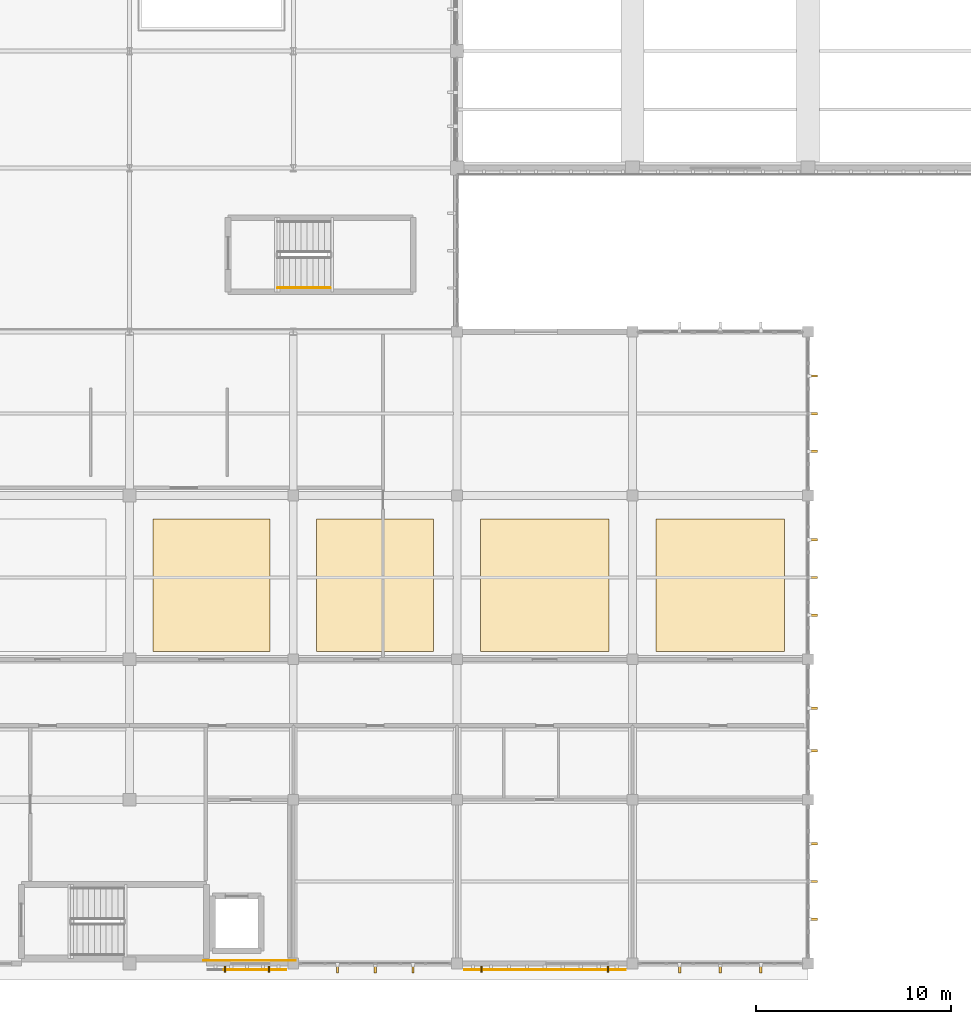
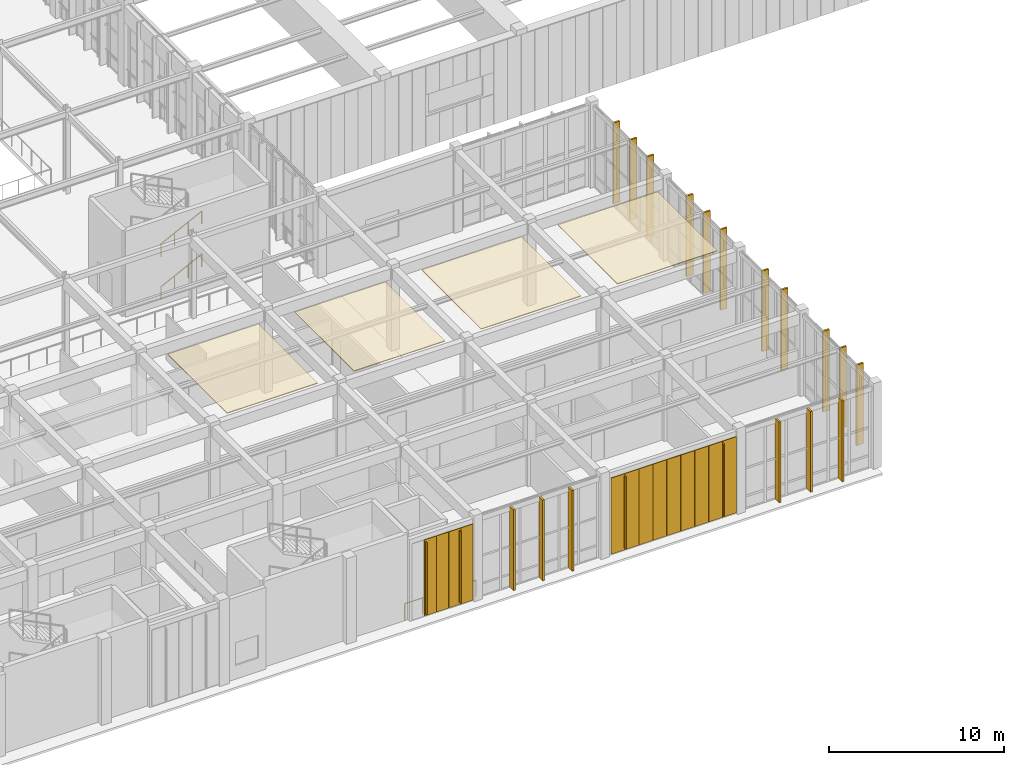
# One storey, part 95 of 105: 34 coverings, 4 shading devices, 3 railings.
"""IFC4 building model written with IfcOpenShell, lengths in metres."""

from ifc_helpers import new_model, si_unit, direction, frame, origin, origin_2d, place, context, subcontext, project, spatial, polyline, rectangle, circle, outline, extrude, material, layer, layer_set, type_object, element, save


model = new_model("IFC4")

# Units and contexts
model_context = context("Model", 3, precision=1e-05, world=origin(), true_north=direction((0.0, 1.0)))
body_context = subcontext(model_context, "Body", "Model", "MODEL_VIEW")
ifc_project = project(units=[si_unit("LENGTHUNIT", "METRE"), si_unit("AREAUNIT", "SQUARE_METRE"), si_unit("VOLUMEUNIT", "CUBIC_METRE"), si_unit("PLANEANGLEUNIT", "RADIAN"), si_unit("MASSUNIT", "GRAM", prefix="KILO")], contexts=[model_context])

# Site, building, storey
site_placement = place(None, origin())
site = spatial("IfcSite", under=ifc_project, at=site_placement, CompositionType="ELEMENT")
building_placement = place(site_placement, origin())
building = spatial("IfcBuilding", under=site, at=building_placement, Name="Tizgana Railside Sports Hall", CompositionType="ELEMENT")
storey_placement = place(building_placement, frame((0.0, 0.0, 6.0)))
storey = spatial("IfcBuildingStorey", under=building, at=storey_placement, Name="L01", CompositionType="ELEMENT", Elevation=6.0)

# Shading devices
ifc_material_1 = material(Name="Glulam GL28h", Category="wood")
shading_device_type = type_object("IfcShadingDeviceType", Name="Glulam Vertical Brise-Soleil Fin 320", PredefinedType="JALOUSIE", material=ifc_material_1)
for number, where, z_axis, x_axis, name in (
    (1, (70.14990234375, -0.2939453125, 0.35009765625), (0.0, 0.0, 1.0), (-1.0, 0.0, 0.0), "L01 Glulam Fin FIN-0033"),
    (2, (67.89990234375, -0.2939453125, 0.35009765625), (0.0, 0.0, 1.0), (-1.0, 0.0, 0.0), "L01 Glulam Fin FIN-0034"),
    (3, (87.550048828125, -0.2939453125, 0.35009765625), (0.0, 0.0, 1.0), (-1.0, 0.0, 0.0), "L01 Glulam Fin FIN-0035"),
    (4, (81.050048828125, -0.2939453125, 0.35009765625), (0.0, 0.0, 1.0), (-1.0, 0.0, 0.0), "L01 Glulam Fin FIN-0036"),
):
    element("IfcShadingDevice", number, at=place(storey_placement, frame(where, z_axis=z_axis, x_axis=x_axis)), inside=storey, type_object=shading_device_type, Name=name, PredefinedType="JALOUSIE", context=body_context, shape_type="SweptSolid", body=[
        extrude(rectangle(XDim=0.080078125, YDim=0.320068359375, at=origin_2d()), origin(), (0.0, 0.0, 1.0), 5.02001953125),
    ])

# Coverings
ifc_layer_1 = layer(ifc_material_1, 0.139892578125, Name="Glulam GL28h")
ifc_layer_set_1 = layer_set([ifc_layer_1], Name="Glulam GL28h")
covering_type_1 = type_object("IfcCoveringType", Name="Mass-Timber Brise-Soleil & Pergola Fin", PredefinedType="CLADDING", material=ifc_layer_set_1)
for number, where, z_axis, x_axis, name in (
    (5, (77.534912109375, -0.280029296875, 0.0400390625), (0.0, 0.0, 1.0), (-1.0, 0.0, 0.0), "L01 Timber Brise-Soleil Fin"),
    (6, (75.60009765625, -0.280029296875, 0.0400390625), (0.0, 0.0, 1.0), (-1.0, 0.0, 0.0), "L01 Timber Brise-Soleil Fin"),
    (7, (73.6650390625, -0.280029296875, 0.0400390625), (0.0, 0.0, 1.0), (-1.0, 0.0, 0.0), "L01 Timber Brise-Soleil Fin"),
    (8, (95.385009765625, -0.280029296875, 0.0400390625), (0.0, 0.0, 1.0), (-1.0, 0.0, 0.0), "L01 Timber Brise-Soleil Fin"),
    (9, (93.300048828125, -0.280029296875, 0.0400390625), (0.0, 0.0, 1.0), (-1.0, 0.0, 0.0), "L01 Timber Brise-Soleil Fin"),
    (10, (91.215087890625, -0.280029296875, 0.0400390625), (0.0, 0.0, 1.0), (-1.0, 0.0, 0.0), "L01 Timber Brise-Soleil Fin"),
    (11, (98.080078125, 6.135009765625, 0.0400390625), (0.0, 0.0, 1.0), (0.0, -1.0, 0.0), "L01 Timber Brise-Soleil Fin"),
    (12, (98.080078125, 4.199951171875, 0.0400390625), (0.0, 0.0, 1.0), (0.0, -1.0, 0.0), "L01 Timber Brise-Soleil Fin"),
    (13, (98.080078125, 2.264892578125, 0.0400390625), (0.0, 0.0, 1.0), (0.0, -1.0, 0.0), "L01 Timber Brise-Soleil Fin"),
    (14, (98.080078125, 13.090087890625, 0.0400390625), (0.0, 0.0, 1.0), (0.0, -1.0, 0.0), "L01 Timber Brise-Soleil Fin"),
    (15, (98.080078125, 10.909912109375, 0.0400390625), (0.0, 0.0, 1.0), (0.0, -1.0, 0.0), "L01 Timber Brise-Soleil Fin"),
    (16, (98.080078125, 21.735107421875, 0.0400390625), (0.0, 0.0, 1.0), (0.0, -1.0, 0.0), "L01 Timber Brise-Soleil Fin"),
    (17, (98.080078125, 19.800048828125, 0.0400390625), (0.0, 0.0, 1.0), (0.0, -1.0, 0.0), "L01 Timber Brise-Soleil Fin"),
    (18, (98.080078125, 17.864990234375, 0.0400390625), (0.0, 0.0, 1.0), (0.0, -1.0, 0.0), "L01 Timber Brise-Soleil Fin"),
    (19, (98.080078125, 30.135009765625, 0.0400390625), (0.0, 0.0, 1.0), (0.0, -1.0, 0.0), "L01 Timber Brise-Soleil Fin"),
    (20, (98.080078125, 28.199951171875, 0.0400390625), (0.0, 0.0, 1.0), (0.0, -1.0, 0.0), "L01 Timber Brise-Soleil Fin"),
    (21, (98.080078125, 26.264892578125, 0.0400390625), (0.0, 0.0, 1.0), (0.0, -1.0, 0.0), "L01 Timber Brise-Soleil Fin"),
):
    element("IfcCovering", number, at=place(storey_placement, frame(where, z_axis=z_axis, x_axis=x_axis)), inside=storey, type_object=covering_type_1, Name=name, PredefinedType="CLADDING", context=body_context, shape_type="SweptSolid", body=[
        extrude(rectangle(XDim=0.1201171875, YDim=0.43994140625, at=origin_2d()), origin(), (0.0, 0.0, 1.0), 5.639892578125),
    ])
ifc_material_2 = material(Name="Anodised perforated aluminium screen", Category="aluminium")
ifc_layer_2 = layer(ifc_material_2, 0.044921875, Name="Anodised perforated aluminium screen")
ifc_layer_set_2 = layer_set([ifc_layer_2], Name="Anodised perforated aluminium screen")
covering_type_2 = type_object("IfcCoveringType", Name="Perforated Aluminium Hall Screen 900", PredefinedType="CLADDING", material=ifc_layer_set_2)
for number, where, z_axis, x_axis, name in (
    (22, (70.64501953125, -0.31494140625, 0.2001953125), (0.0, 0.0, 1.0), (-1.0, 0.0, 0.0), "L01 Perforated Screen SCR-0543"),
    (23, (69.8349609375, -0.31494140625, 0.2001953125), (0.0, 0.0, 1.0), (-1.0, 0.0, 0.0), "L01 Perforated Screen SCR-0544"),
    (24, (69.02490234375, -0.31494140625, 0.2001953125), (0.0, 0.0, 1.0), (-1.0, 0.0, 0.0), "L01 Perforated Screen SCR-0545"),
    (25, (68.215087890625, -0.31494140625, 0.2001953125), (0.0, 0.0, 1.0), (-1.0, 0.0, 0.0), "L01 Perforated Screen SCR-0546"),
):
    element("IfcCovering", number, at=place(storey_placement, frame(where, z_axis=z_axis, x_axis=x_axis)), inside=storey, type_object=covering_type_2, Name=name, PredefinedType="CLADDING", context=body_context, shape_type="SweptSolid", body=[
        extrude(rectangle(XDim=0.7919921875, YDim=0.044921875, at=origin_2d()), origin(), (0.0, 0.0, 1.0), 5.320068359375),
    ])
for number, where, z_axis, x_axis, name in (
    (26, (87.989013671875, -0.31494140625, 0.2001953125), (0.0, 0.0, 1.0), (-1.0, 0.0, 0.0), "L01 Perforated Screen SCR-0548"),
    (27, (87.066650390625, -0.31494140625, 0.2001953125), (0.0, 0.0, 1.0), (-1.0, 0.0, 0.0), "L01 Perforated Screen SCR-0549"),
    (28, (86.144287109375, -0.31494140625, 0.2001953125), (0.0, 0.0, 1.0), (-1.0, 0.0, 0.0), "L01 Perforated Screen SCR-0550"),
    (29, (85.22216796875, -0.31494140625, 0.2001953125), (0.0, 0.0, 1.0), (-1.0, 0.0, 0.0), "L01 Perforated Screen SCR-0551"),
    (30, (84.300048828125, -0.31494140625, 0.2001953125), (0.0, 0.0, 1.0), (-1.0, 0.0, 0.0), "L01 Perforated Screen SCR-0552"),
    (31, (83.377685546875, -0.31494140625, 0.2001953125), (0.0, 0.0, 1.0), (-1.0, 0.0, 0.0), "L01 Perforated Screen SCR-0553"),
    (32, (82.45556640625, -0.31494140625, 0.2001953125), (0.0, 0.0, 1.0), (-1.0, 0.0, 0.0), "L01 Perforated Screen SCR-0554"),
    (33, (81.533203125, -0.31494140625, 0.2001953125), (0.0, 0.0, 1.0), (-1.0, 0.0, 0.0), "L01 Perforated Screen SCR-0555"),
    (34, (80.611083984375, -0.31494140625, 0.2001953125), (0.0, 0.0, 1.0), (-1.0, 0.0, 0.0), "L01 Perforated Screen SCR-0556"),
):
    element("IfcCovering", number, at=place(storey_placement, frame(where, z_axis=z_axis, x_axis=x_axis)), inside=storey, type_object=covering_type_2, Name=name, PredefinedType="CLADDING", context=body_context, shape_type="SweptSolid", body=[
        extrude(rectangle(XDim=0.904296875, YDim=0.044921875, at=origin_2d()), origin(), (0.0, 0.0, 1.0), 5.320068359375),
    ])
ifc_material_3 = material(Name="Acoustic perforated timber", Category="wood")
ifc_layer_3 = layer(ifc_material_3, 0.054931640625, Name="Acoustic perforated timber")
ifc_layer_set_3 = layer_set([ifc_layer_3], Name="Acoustic perforated timber")
covering_type_3 = type_object("IfcCoveringType", Name="Slatted Timber Acoustic Hall Ceiling", PredefinedType="CEILING", material=ifc_layer_set_3)
covering_1_placement = place(storey_placement, frame((0.0, 0.0, 5.699951171875)))
element("IfcCovering", 35, at=covering_1_placement, inside=storey, type_object=covering_type_3, Name="L01 Acoustic Ceiling CLG-0008", PredefinedType="CEILING", context=body_context, shape_type="SweptSolid", body=[
    extrude(outline(polyline([(64.199951171875, 16.0), (70.199951171875, 16.0), (70.199951171875, 22.800048828125), (64.199951171875, 22.800048828125), (64.199951171875, 16.0)])), origin(), (0.0, 0.0, 1.0), 0.054931640625),
])
covering_2_placement = place(storey_placement, frame((0.0, 0.0, 5.699951171875)))
element("IfcCovering", 36, at=covering_2_placement, inside=storey, type_object=covering_type_3, Name="L01 Acoustic Ceiling CLG-0009", PredefinedType="CEILING", context=body_context, shape_type="SweptSolid", body=[
    extrude(outline(polyline([(72.60009765625, 16.0), (78.60009765625, 16.0), (78.60009765625, 22.800048828125), (72.60009765625, 22.800048828125), (72.60009765625, 16.0)])), origin(), (0.0, 0.0, 1.0), 0.054931640625),
])
covering_3_placement = place(storey_placement, frame((0.0, 0.0, 5.699951171875)))
element("IfcCovering", 37, at=covering_3_placement, inside=storey, type_object=covering_type_3, Name="L01 Acoustic Ceiling CLG-0010", PredefinedType="CEILING", context=body_context, shape_type="SweptSolid", body=[
    extrude(outline(polyline([(81.0, 16.0), (87.60009765625, 16.0), (87.60009765625, 22.800048828125), (81.0, 22.800048828125), (81.0, 16.0)])), origin(), (0.0, 0.0, 1.0), 0.054931640625),
])
covering_4_placement = place(storey_placement, frame((0.0, 0.0, 5.699951171875)))
element("IfcCovering", 38, at=covering_4_placement, inside=storey, type_object=covering_type_3, Name="L01 Acoustic Ceiling CLG-0011", PredefinedType="CEILING", context=body_context, shape_type="SweptSolid", body=[
    extrude(outline(polyline([(90.0, 16.0), (96.60009765625, 16.0), (96.60009765625, 22.800048828125), (90.0, 22.800048828125), (90.0, 16.0)])), origin(), (0.0, 0.0, 1.0), 0.054931640625),
])

# Railings
ifc_material_4 = material(Name="Brushed stainless steel", Category="steel")
railing_type_1 = type_object("IfcRailingType", Name="Stair & Ramp Wall Handrail 900", PredefinedType="HANDRAIL", material=ifc_material_4)
for number, where, name in (
    (39, (70.60009765625, 34.64990234375, 0.14990234375), "L01 ST-10 stair handrail 1"),
    (40, (70.60009765625, 34.64990234375, 3.14990234375), "L01 ST-10 stair handrail 3"),
):
    element("IfcRailing", number, at=place(storey_placement, frame(where)), inside=storey, type_object=railing_type_1, Name=name, PredefinedType="HANDRAIL", context=body_context, shape_type="SweptSolid", body=[
        extrude(circle(Radius=0.02392578125, at=origin_2d()), frame((0.0, 0.0, 0.8759765625), z_axis=(0.894411015155, 0.0, 0.447245945728), x_axis=(0.0, 1.0, 0.0)), (0.0, 0.0, 1.0), 3.018798828125),
        extrude(circle(Radius=0.02099609375, at=origin_2d()), origin(), (0.0, 0.0, 1.0), 0.851806640625),
        extrude(circle(Radius=0.02099609375, at=origin_2d()), frame((0.89990234375, 0.0, 0.449951171875)), (0.0, 0.0, 1.0), 0.851806640625),
        extrude(circle(Radius=0.02099609375, at=origin_2d()), frame((1.800048828125, 0.0, 0.900146484375)), (0.0, 0.0, 1.0), 0.851806640625),
        extrude(circle(Radius=0.02099609375, at=origin_2d()), frame((2.699951171875, 0.0, 1.35009765625)), (0.0, 0.0, 1.0), 0.851806640625),
    ])
ifc_material_5 = material(Name="Anodised aluminium", Category="aluminium")
railing_type_2 = type_object("IfcRailingType", Name="Terrace & Track Guard 1150", PredefinedType="BALUSTRADE", material=ifc_material_5)
railing_placement = place(storey_placement, frame((66.800048828125, 0.14990234375, 0.0)))
element("IfcRailing", 41, at=railing_placement, inside=storey, type_object=railing_type_2, Name="L01 Safety Guard GRD-0029", PredefinedType="BALUSTRADE", context=body_context, shape_type="SweptSolid", body=[
    extrude(circle(Radius=0.02392578125, at=origin_2d()), frame((0.0, 0.0, 1.1259765625), z_axis=(1.0, 0.0, 0.0), x_axis=(0.0, 1.0, 0.0)), (0.0, 0.0, 1.0), 4.699951171875),
    extrude(circle(Radius=0.02099609375, at=origin_2d()), origin(), (0.0, 0.0, 1.0), 1.101806640625),
    extrude(circle(Radius=0.02099609375, at=origin_2d()), frame((1.175048828125, 0.0, 0.0)), (0.0, 0.0, 1.0), 1.101806640625),
    extrude(circle(Radius=0.02099609375, at=origin_2d()), frame((2.35009765625, 0.0, 0.0)), (0.0, 0.0, 1.0), 1.101806640625),
    extrude(circle(Radius=0.02099609375, at=origin_2d()), frame((3.52490234375, 0.0, 0.0)), (0.0, 0.0, 1.0), 1.101806640625),
    extrude(circle(Radius=0.02099609375, at=origin_2d()), frame((4.699951171875, 0.0, 0.0)), (0.0, 0.0, 1.0), 1.101806640625),
])

save(model, "model.ifc")
